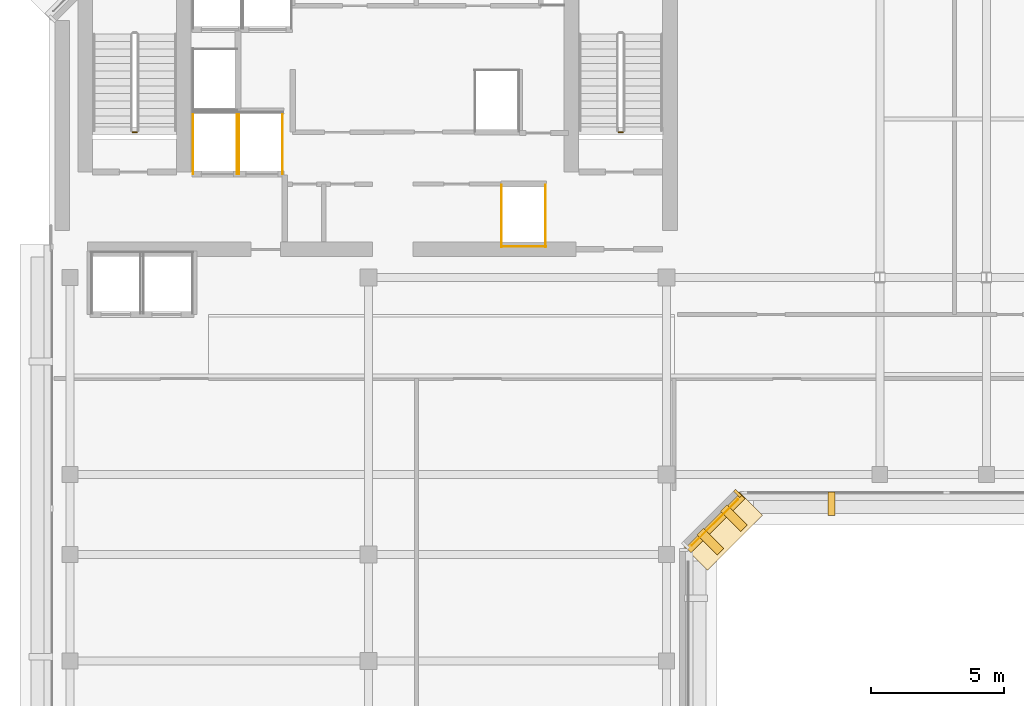
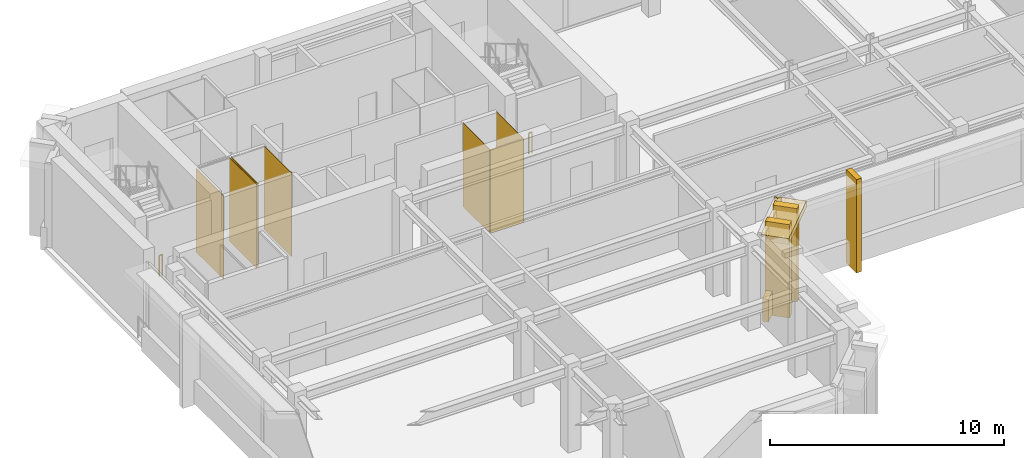
# One storey, part 8 of 11: 14 coverings, 2 railings.
"""IFC4 building model written with IfcOpenShell, lengths in metres."""

from ifc_helpers import new_model, si_unit, direction, frame, origin, origin_2d, place, context, subcontext, project, spatial, polyline, rectangle, circle, outline, extrude, material, layer, layer_set, type_object, element, save


model = new_model("IFC4")

# Units and contexts
model_context = context("Model", 3, precision=1e-05, world=origin(), true_north=direction((0.0, 1.0)))
body_context = subcontext(model_context, "Body", "Model", "MODEL_VIEW")
ifc_project = project(units=[si_unit("LENGTHUNIT", "METRE"), si_unit("AREAUNIT", "SQUARE_METRE"), si_unit("VOLUMEUNIT", "CUBIC_METRE"), si_unit("PLANEANGLEUNIT", "RADIAN"), si_unit("MASSUNIT", "GRAM", prefix="KILO")], contexts=[model_context])

# Site, building, storey
site_placement = place(None, origin())
site = spatial("IfcSite", under=ifc_project, at=site_placement, CompositionType="ELEMENT")
building_placement = place(site_placement, origin())
building = spatial("IfcBuilding", under=site, at=building_placement, Name="Kefirva Bronze Tower", CompositionType="ELEMENT")
storey_placement = place(building_placement, frame((0.0, 0.0, 347.489990234375)))
storey = spatial("IfcBuildingStorey", under=building, at=storey_placement, Name="L85", CompositionType="ELEMENT", Elevation=347.489990234375)

# Coverings
ifc_material_1 = material(Name="Bronze anodised aluminium", Category="aluminium")
ifc_layer_1 = layer(ifc_material_1, 0.02001953125, Name="Bronze anodised aluminium")
ifc_layer_set_1 = layer_set([ifc_layer_1], Name="Bronze anodised aluminium")
covering_type_1 = type_object("IfcCoveringType", Name="Anodised Bronze Spandrel Cladding 20mm", PredefinedType="CLADDING", material=ifc_layer_set_1)
covering_1_placement = place(storey_placement, frame((25.007080078125, 23.992919921875, 3.949951171875), z_axis=(0.0, 0.0, 1.0), x_axis=(0.707106781187, 0.707106781187, 0.0)))
element("IfcCovering", 1, at=covering_1_placement, inside=storey, type_object=covering_type_1, Name="L85 Bronze Spandrel Cladding 4", PredefinedType="CLADDING", context=body_context, shape_type="SweptSolid", body=[
    extrude(rectangle(XDim=2.446533203125, YDim=0.02001953125, at=origin_2d()), origin(), (0.0, 0.0, 1.0), 0.39990234375),
])
covering_2_placement = place(storey_placement, frame((25.862060546875, 25.08837890625, 0.0), z_axis=(0.0, 0.0, 1.0), x_axis=(0.707106781187, 0.707106781187, 0.0)))
element("IfcCovering", 2, at=covering_2_placement, inside=storey, type_object=covering_type_1, Name="L85 Facade Joint Closure Panel 4E", PredefinedType="CLADDING", context=body_context, shape_type="SweptSolid", body=[
    extrude(rectangle(XDim=0.10009765625, YDim=0.320068359375, at=origin_2d()), origin(), (0.0, 0.0, 1.0), 4.3701171875),
])
covering_3_placement = place(storey_placement, frame((25.0283203125, 23.9716796875, -0.16015625), z_axis=(0.0, 0.0, 1.0), x_axis=(0.707106781187, 0.707106781187, 0.0)))
element("IfcCovering", 3, at=covering_3_placement, inside=storey, type_object=covering_type_1, Name="L85 Streamline Horizontal Spandrel Band 3", PredefinedType="CLADDING", context=body_context, shape_type="SweptSolid", body=[
    extrude(rectangle(XDim=2.868408203125, YDim=0.280029296875, at=origin_2d()), origin(), (0.0, 0.0, 1.0), 1.179931640625),
])
covering_4_placement = place(storey_placement, origin())
element("IfcCovering", 4, at=covering_4_placement, inside=storey, type_object=covering_type_1, Name="L85 Lift FF1 Hoistway Liner W", PredefinedType="CLADDING", context=body_context, shape_type="SweptSolid", body=[
    extrude(outline(polyline([(5.409912109375, 37.080078125), (5.429931640625, 37.080078125), (5.429931640625, 39.419921875), (5.409912109375, 39.419921875), (5.409912109375, 37.080078125)])), origin(), (0.0, 0.0, 1.0), 4.3701171875),
])
covering_5_placement = place(storey_placement, origin())
element("IfcCovering", 5, at=covering_5_placement, inside=storey, type_object=covering_type_1, Name="L85 Lift FF1 Hoistway Liner E", PredefinedType="CLADDING", context=body_context, shape_type="SweptSolid", body=[
    extrude(outline(polyline([(7.050048828125, 37.080078125), (7.070068359375, 37.080078125), (7.070068359375, 39.419921875), (7.050048828125, 39.419921875), (7.050048828125, 37.080078125)])), origin(), (0.0, 0.0, 1.0), 4.3701171875),
])
covering_6_placement = place(storey_placement, origin())
element("IfcCovering", 6, at=covering_6_placement, inside=storey, type_object=covering_type_1, Name="L85 Lift FF2 Hoistway Liner W", PredefinedType="CLADDING", context=body_context, shape_type="SweptSolid", body=[
    extrude(outline(polyline([(7.1298828125, 37.080078125), (7.14990234375, 37.080078125), (7.14990234375, 39.419921875), (7.1298828125, 39.419921875), (7.1298828125, 37.080078125)])), origin(), (0.0, 0.0, 1.0), 4.3701171875),
])
covering_7_placement = place(storey_placement, origin())
element("IfcCovering", 7, at=covering_7_placement, inside=storey, type_object=covering_type_1, Name="L85 Lift FF2 Hoistway Liner E", PredefinedType="CLADDING", context=body_context, shape_type="SweptSolid", body=[
    extrude(outline(polyline([(8.77001953125, 37.080078125), (8.7900390625, 37.080078125), (8.7900390625, 39.419921875), (8.77001953125, 39.419921875), (8.77001953125, 37.080078125)])), origin(), (0.0, 0.0, 1.0), 4.3701171875),
])
covering_8_placement = place(storey_placement, origin())
element("IfcCovering", 8, at=covering_8_placement, inside=storey, type_object=covering_type_1, Name="L85 Lift HP1 Hoistway Liner S", PredefinedType="CLADDING", context=body_context, shape_type="SweptSolid", body=[
    extrude(outline(polyline([(16.97998046875, 34.340087890625), (18.669921875, 34.340087890625), (18.669921875, 34.360107421875), (16.97998046875, 34.360107421875), (16.97998046875, 34.340087890625)])), origin(), (0.0, 0.0, 1.0), 4.3701171875),
])
covering_9_placement = place(storey_placement, origin())
element("IfcCovering", 9, at=covering_9_placement, inside=storey, type_object=covering_type_1, Name="L85 Lift HP1 Hoistway Liner W", PredefinedType="CLADDING", context=body_context, shape_type="SweptSolid", body=[
    extrude(outline(polyline([(16.989990234375, 34.330078125), (17.010009765625, 34.330078125), (17.010009765625, 36.669921875), (16.989990234375, 36.669921875), (16.989990234375, 34.330078125)])), origin(), (0.0, 0.0, 1.0), 4.3701171875),
])
covering_10_placement = place(storey_placement, origin())
element("IfcCovering", 10, at=covering_10_placement, inside=storey, type_object=covering_type_1, Name="L85 Lift HP1 Hoistway Liner E", PredefinedType="CLADDING", context=body_context, shape_type="SweptSolid", body=[
    extrude(outline(polyline([(18.639892578125, 34.330078125), (18.659912109375, 34.330078125), (18.659912109375, 36.669921875), (18.639892578125, 36.669921875), (18.639892578125, 34.330078125)])), origin(), (0.0, 0.0, 1.0), 4.3701171875),
])

# Railings
ifc_material_2 = material(Name="Stainless steel 316", Category="steel")
railing_type = type_object("IfcRailingType", Name="Interior Stair Guardrail 1100mm", PredefinedType="GUARDRAIL", material=ifc_material_2)
for number, where, name in (
    (11, (3.300048828125, 38.64990234375, 0.0), "L85 ST-1 stair guard 4"),
    (12, (21.550048828125, 38.64990234375, 0.0), "L85 ST-2 stair guard 4"),
):
    element("IfcRailing", number, at=place(storey_placement, frame(where)), inside=storey, type_object=railing_type, Name=name, PredefinedType="GUARDRAIL", context=body_context, shape_type="SweptSolid", body=[
        extrude(circle(Radius=0.02392578125, at=origin_2d()), frame((0.0, 0.0, 1.076171875), z_axis=(-1.0, 0.0, 0.0), x_axis=(0.0, -1.0, 0.0)), (0.0, 0.0, 1.0), 0.150146484375),
        extrude(circle(Radius=0.02099609375, at=origin_2d()), origin(), (0.0, 0.0, 1.0), 1.052001953125),
        extrude(circle(Radius=0.02099609375, at=origin_2d()), frame((-0.150146484375, 0.0, 0.0)), (0.0, 0.0, 1.0), 1.052001953125),
    ])

# Coverings
ifc_layer_2 = layer(ifc_material_1, 0.179931640625, Name="Bronze anodised aluminium")
ifc_layer_set_2 = layer_set([ifc_layer_2], Name="Bronze anodised aluminium")
covering_type_2 = type_object("IfcCoveringType", Name="Streamline Bronze Sunshade Eyebrow Cladding 180mm", PredefinedType="CLADDING", material=ifc_layer_set_2)
covering_11_placement = place(storey_placement, frame((25.3251953125, 23.6748046875, 4.0498046875), z_axis=(0.0, 0.0, 1.0), x_axis=(0.707106781187, 0.707106781187, 0.0)))
element("IfcCovering", 13, at=covering_11_placement, inside=storey, type_object=covering_type_2, Name="L85 Streamline Bronze Sunshade Eyebrow 3", PredefinedType="CLADDING", context=body_context, shape_type="SweptSolid", body=[
    extrude(rectangle(XDim=2.908447265625, YDim=1.239990234375, at=origin_2d()), origin(), (0.0, 0.0, 1.0), 0.320068359375),
])
ifc_layer_3 = layer(ifc_material_1, 0.260009765625, Name="Bronze anodised aluminium")
ifc_layer_set_3 = layer_set([ifc_layer_3], Name="Bronze anodised aluminium")
covering_type_3 = type_object("IfcCoveringType", Name="Unbroken Bronze Buttress Fin Cladding 260mm", PredefinedType="CLADDING", material=ifc_layer_set_3)
for number, where, z_axis, x_axis, name in (
    (14, (24.8427734375, 23.277099609375, -0.25), (0.0, 0.0, 1.0), (0.707106781187, 0.707106781187, 0.0), "L85 Chamfered Corner Buttress Fin Cladding 5"),
    (15, (25.722900390625, 24.1572265625, -0.25), (0.0, 0.0, 1.0), (0.707106781187, 0.707106781187, 0.0), "L85 Chamfered Corner Buttress Fin Cladding 6"),
):
    element("IfcCovering", number, at=place(storey_placement, frame(where, z_axis=z_axis, x_axis=x_axis)), inside=storey, type_object=covering_type_3, Name=name, PredefinedType="CLADDING", context=body_context, shape_type="SweptSolid", body=[
        extrude(rectangle(XDim=0.340087890625, YDim=1.080078125, at=origin_2d()), origin(), (0.0, 0.0, 1.0), 4.8701171875),
    ])
covering_12_placement = place(storey_placement, frame((29.387939453125, 24.699951171875, -0.25), z_axis=(0.0, 0.0, 1.0), x_axis=(1.0, 0.0, 0.0)))
element("IfcCovering", 16, at=covering_12_placement, inside=storey, type_object=covering_type_3, Name="L85 Unbroken Vertical Bronze Rib Fin 7", PredefinedType="CLADDING", context=body_context, shape_type="SweptSolid", body=[
    extrude(rectangle(XDim=0.260009765625, YDim=0.8798828125, at=origin_2d()), origin(), (0.0, 0.0, 1.0), 4.8701171875),
])

save(model, "model.ifc")
